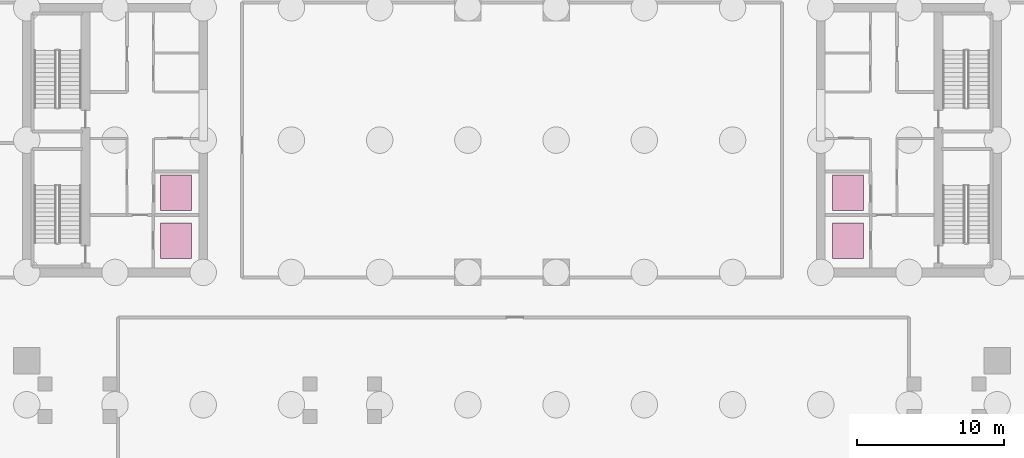
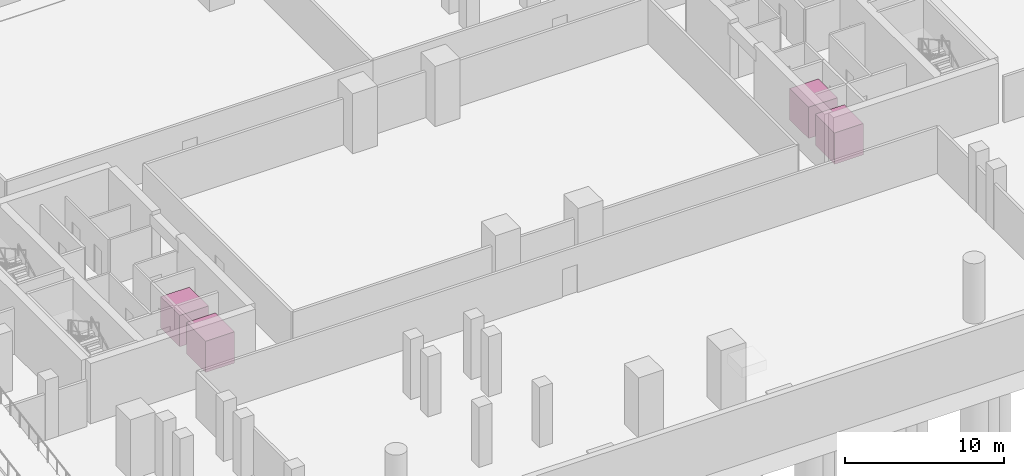
# One storey, part 14 of 14: 4 transport elements.
"""IFC4 building model written with IfcOpenShell, lengths in metres."""

from ifc_helpers import new_model, si_unit, direction, frame, origin, origin_2d, place, context, subcontext, project, spatial, rectangle, extrude, material, type_object, element, save


model = new_model("IFC4")

# Units and contexts
model_context = context("Model", 3, precision=1e-05, world=origin(), true_north=direction((0.0, 1.0)))
body_context = subcontext(model_context, "Body", "Model", "MODEL_VIEW")
ifc_project = project(units=[si_unit("LENGTHUNIT", "METRE"), si_unit("AREAUNIT", "SQUARE_METRE"), si_unit("VOLUMEUNIT", "CUBIC_METRE"), si_unit("PLANEANGLEUNIT", "RADIAN"), si_unit("MASSUNIT", "GRAM", prefix="KILO")], contexts=[model_context])

# Site, building, storey
site_placement = place(None, origin())
site = spatial("IfcSite", under=ifc_project, at=site_placement, CompositionType="ELEMENT")
building_placement = place(site_placement, origin())
building = spatial("IfcBuilding", under=site, at=building_placement, Name="Tanjung Sevakor Pilgrim Tower", CompositionType="ELEMENT")
storey_placement = place(building_placement, frame((0.0, 0.0, -9.239990234375)))
storey = spatial("IfcBuildingStorey", under=building, at=storey_placement, Name="B02", CompositionType="ELEMENT", Elevation=-9.239990234375)

# Transport elements
ifc_material_1 = material(Name="Stainless Steel S355J2", Category="steel")
transport_element_type_1 = type_object("IfcTransportElementType", Name="LIFT-FIRE-2000", PredefinedType="ELEVATOR", material=ifc_material_1)
for number, where, z_axis, x_axis, name in (
    (1, (34.14990234375, 26.75, 0.0), (0.0, 0.0, 1.0), (1.0, 0.0, 0.0), "Elevator FL-W1"),
    (2, (79.85009765625, 26.75, 0.0), (0.0, 0.0, 1.0), (1.0, 0.0, 0.0), "Elevator FL-E1"),
):
    element("IfcTransportElement", number, at=place(storey_placement, frame(where, z_axis=z_axis, x_axis=x_axis)), inside=storey, type_object=transport_element_type_1, Name=name, PredefinedType="ELEVATOR", context=body_context, shape_type="SweptSolid", body=[
        extrude(rectangle(XDim=2.10009765625, YDim=2.39990234375, at=origin_2d()), origin(), (0.0, 0.0, 1.0), 2.39990234375),
    ])
ifc_material_2 = material(Name="Stainless Steel S355J2", Category="steel")
transport_element_type_2 = type_object("IfcTransportElementType", Name="LIFT-SERV-2000", PredefinedType="ELEVATOR", material=ifc_material_2)
for number, where, z_axis, x_axis, name in (
    (3, (34.14990234375, 30.02001953125, 0.0), (0.0, 0.0, 1.0), (1.0, 0.0, 0.0), "Elevator SL-P1"),
    (4, (79.85009765625, 30.02001953125, 0.0), (0.0, 0.0, 1.0), (1.0, 0.0, 0.0), "Elevator SL-P2"),
):
    element("IfcTransportElement", number, at=place(storey_placement, frame(where, z_axis=z_axis, x_axis=x_axis)), inside=storey, type_object=transport_element_type_2, Name=name, PredefinedType="ELEVATOR", context=body_context, shape_type="SweptSolid", body=[
        extrude(rectangle(XDim=2.10009765625, YDim=2.39990234375, at=origin_2d()), origin(), (0.0, 0.0, 1.0), 2.39990234375),
    ])

save(model, "model.ifc")
